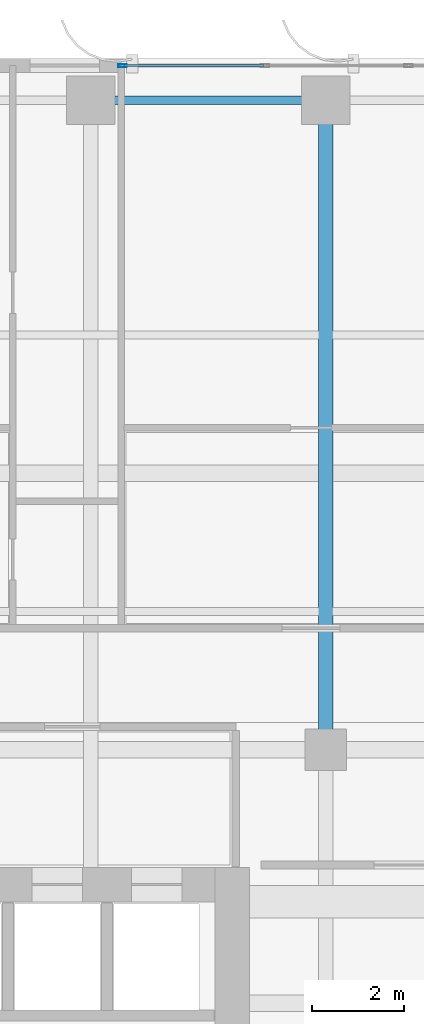
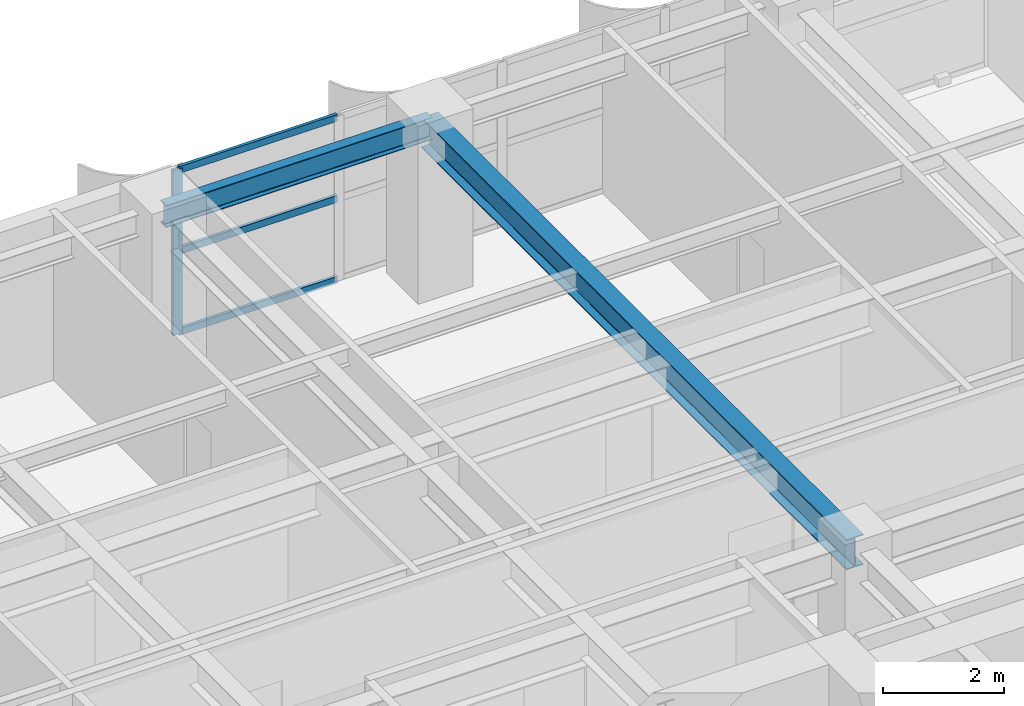
# One storey, part 9 of 22: 4 members, 2 beams, 1 element without a shape of its own.
"""IFC4 building model written with IfcOpenShell, lengths in metres."""

from ifc_helpers import new_model, si_unit, direction, frame, origin, origin_2d, place, context, subcontext, project, spatial, hollow_rectangle, i_section, extrude, source, transform, mapped, material, layer, layer_set, material_profile, profile_set, type_object, element, aggregate, save


model = new_model("IFC4")

# Units and contexts
model_context = context("Model", 3, precision=1e-05, world=origin(), true_north=direction((0.0, 1.0)))
body_context = subcontext(model_context, "Body", "Model", "MODEL_VIEW")
ifc_project = project(units=[si_unit("LENGTHUNIT", "METRE"), si_unit("AREAUNIT", "SQUARE_METRE"), si_unit("VOLUMEUNIT", "CUBIC_METRE"), si_unit("PLANEANGLEUNIT", "RADIAN"), si_unit("MASSUNIT", "GRAM", prefix="KILO")], contexts=[model_context])

# Site, building, storey
site_placement = place(None, origin())
site = spatial("IfcSite", under=ifc_project, at=site_placement, CompositionType="ELEMENT")
building_placement = place(site_placement, origin())
building = spatial("IfcBuilding", under=site, at=building_placement, Name="Khoralis Quay Care Tower", CompositionType="ELEMENT")
storey_placement = place(building_placement, frame((0.0, 0.0, 94.5)))
storey = spatial("IfcBuildingStorey", under=building, at=storey_placement, Name="L24", CompositionType="ELEMENT", Elevation=94.5)

# Beams
ifc_material_1 = material(Name="Steel S355", Category="steel")
ifc_material_profile_1 = material_profile(ifc_material_1, i_section(OverallWidth=0.18994140625, OverallDepth=0.449951171875, WebThickness=0.009521484375, FlangeThickness=0.0146484375, FilletRadius=0.02099609375, at=origin_2d()), Name="Steel S355")
ifc_profile_set_1 = profile_set([ifc_material_profile_1], Name="Steel S355")
beam_type_1 = type_object("IfcBeamType", Name="BM-IPE450", PredefinedType="SPANDREL", material=ifc_profile_set_1)
shared_shape_1 = source(origin(), body_context, "Body", "SweptSolid", [
    extrude(i_section(OverallWidth=0.18994140625, OverallDepth=0.449951171875, WebThickness=0.009521484375, FlangeThickness=0.0146484375, FilletRadius=0.02099609375, at=origin_2d()), origin(), (0.0, 0.0, 1.0), 5.10009765625),
])
beam_1_placement = place(storey_placement, frame((12.0, 44.10009765625, 3.114990234375), z_axis=(1.0, 0.0, 0.0), x_axis=(0.0, 1.0, 0.0)))
element("IfcBeam", 1, at=beam_1_placement, inside=storey, type_object=beam_type_1, Name="BM-TSP-L24-07", PredefinedType="SPANDREL", context=body_context, shape_type="MappedRepresentation", body=[
    mapped(shared_shape_1, transform((0.0, 0.0, 0.0), scale=1.0)),
])
ifc_material_profile_2 = material_profile(ifc_material_1, i_section(OverallWidth=0.324951171875, OverallDepth=0.615966796875, WebThickness=0.013916015625, FlangeThickness=0.021484375, FilletRadius=0.01806640625, at=origin_2d()), Name="Steel S355")
ifc_profile_set_2 = profile_set([ifc_material_profile_2], Name="Steel S355")
beam_type_2 = type_object("IfcBeamType", Name="BM-W610X174", PredefinedType="BEAM", material=ifc_profile_set_2)
shared_shape_2 = source(origin(), body_context, "Body", "SweptSolid", [
    extrude(i_section(OverallWidth=0.324951171875, OverallDepth=0.615966796875, WebThickness=0.013916015625, FlangeThickness=0.021484375, FilletRadius=0.01806640625, at=origin_2d()), origin(), (0.0, 0.0, 1.0), 14.10009765625),
])
beam_2_placement = place(storey_placement, frame((17.10009765625, 30.0, 3.031982421875), z_axis=(0.0, 1.0, 0.0), x_axis=(-1.0, 0.0, 0.0)))
element("IfcBeam", 2, at=beam_2_placement, inside=storey, type_object=beam_type_2, Name="BM-TGYN-L24-171", PredefinedType="BEAM", context=body_context, shape_type="MappedRepresentation", body=[
    mapped(shared_shape_2, transform((0.0, 0.0, 0.0), scale=1.0)),
])

# Curtain wall, members
ifc_material_2 = material(Name="Pale anodised aluminium", Category="aluminium")
ifc_layer = layer(ifc_material_2, 0.169921875)
ifc_layer_set = layer_set([ifc_layer], Name="Pale anodised aluminium")
curtain_wall_type = type_object("IfcCurtainWallType", Name="CW-SYS-Z2", PredefinedType="NOTDEFINED", material=ifc_layer_set)
curtain_wall_placement = place(storey_placement, origin())
curtain_wall = element("IfcCurtainWall", 3, at=curtain_wall_placement, inside=storey, type_object=curtain_wall_type, Name="L24 Unitised Curtain Wall CW-L24-P1-E10", PredefinedType="NOTDEFINED")
ifc_material_profile_3 = material_profile(ifc_material_2, hollow_rectangle(XDim=0.06494140625, YDim=0.179931640625, WallThickness=0.00390625, at=origin_2d()), Name="Pale anodised aluminium")
ifc_profile_set_3 = profile_set([ifc_material_profile_3], Name="Pale anodised aluminium")
member_type_1 = type_object("IfcMemberType", Name="CW-MUL-180", PredefinedType="MULLION", material=ifc_profile_set_3)
shared_shape_3 = source(origin(), body_context, "Body", "SweptSolid", [
    extrude(hollow_rectangle(XDim=0.06494140625, YDim=0.179931640625, WallThickness=0.00390625, at=origin_2d()), origin(), (0.0, 0.0, 1.0), 3.340087890625),
])
member_1_placement = place(storey_placement, frame((12.68994140625, 44.85009765625, 0.0), z_axis=(0.0, 0.0, 1.0), x_axis=(0.0, -1.0, 0.0)))
member_1 = element("IfcMember", 4, at=member_1_placement, type_object=member_type_1, Name="CW2 mullion 6", PredefinedType="MULLION", context=body_context, shape_type="MappedRepresentation", body=[
    mapped(shared_shape_3, transform((0.0, 0.0, 0.0), scale=1.0)),
])
ifc_material_profile_4 = material_profile(ifc_material_2, hollow_rectangle(XDim=0.06005859375, YDim=0.139892578125, WallThickness=0.00390625, at=origin_2d()), Name="Pale anodised aluminium")
ifc_profile_set_4 = profile_set([ifc_material_profile_4], Name="Pale anodised aluminium")
member_type_2 = type_object("IfcMemberType", Name="CW-TRN-140", PredefinedType="USERDEFINED", material=ifc_profile_set_4)
shared_shape_4 = source(origin(), body_context, "Body", "SweptSolid", [
    extrude(hollow_rectangle(XDim=0.06005859375, YDim=0.139892578125, WallThickness=0.00390625, at=origin_2d()), origin(), (0.0, 0.0, 1.0), 3.029541015625),
])
member_2_placement = place(storey_placement, frame((15.74951171875, 44.85009765625, 0.030029296875), z_axis=(-1.0, 0.0, 0.0), x_axis=(0.0, -1.0, 0.0)))
member_2 = element("IfcMember", 5, at=member_2_placement, type_object=member_type_2, Name="CW2 transom 5.1", ObjectType="TRANSOM", PredefinedType="USERDEFINED", context=body_context, shape_type="MappedRepresentation", body=[
    mapped(shared_shape_4, transform((0.0, 0.0, 0.0), scale=1.0)),
])
member_3_placement = place(storey_placement, frame((15.74951171875, 44.85009765625, 1.669921875), z_axis=(-1.0, 0.0, 0.0), x_axis=(0.0, -1.0, 0.0)))
member_3 = element("IfcMember", 6, at=member_3_placement, type_object=member_type_2, Name="CW2 transom 5.2", ObjectType="TRANSOM", PredefinedType="USERDEFINED", context=body_context, shape_type="MappedRepresentation", body=[
    mapped(shared_shape_4, transform((0.0, 0.0, 0.0), scale=1.0)),
])
member_4_placement = place(storey_placement, frame((15.74951171875, 44.85009765625, 3.31005859375), z_axis=(-1.0, 0.0, 0.0), x_axis=(0.0, -1.0, 0.0)))
member_4 = element("IfcMember", 7, at=member_4_placement, type_object=member_type_2, Name="CW2 transom 5.3", ObjectType="TRANSOM", PredefinedType="USERDEFINED", context=body_context, shape_type="MappedRepresentation", body=[
    mapped(shared_shape_4, transform((0.0, 0.0, 0.0), scale=1.0)),
])
aggregate(curtain_wall, [member_1, member_2, member_3, member_4])

save(model, "model.ifc")
